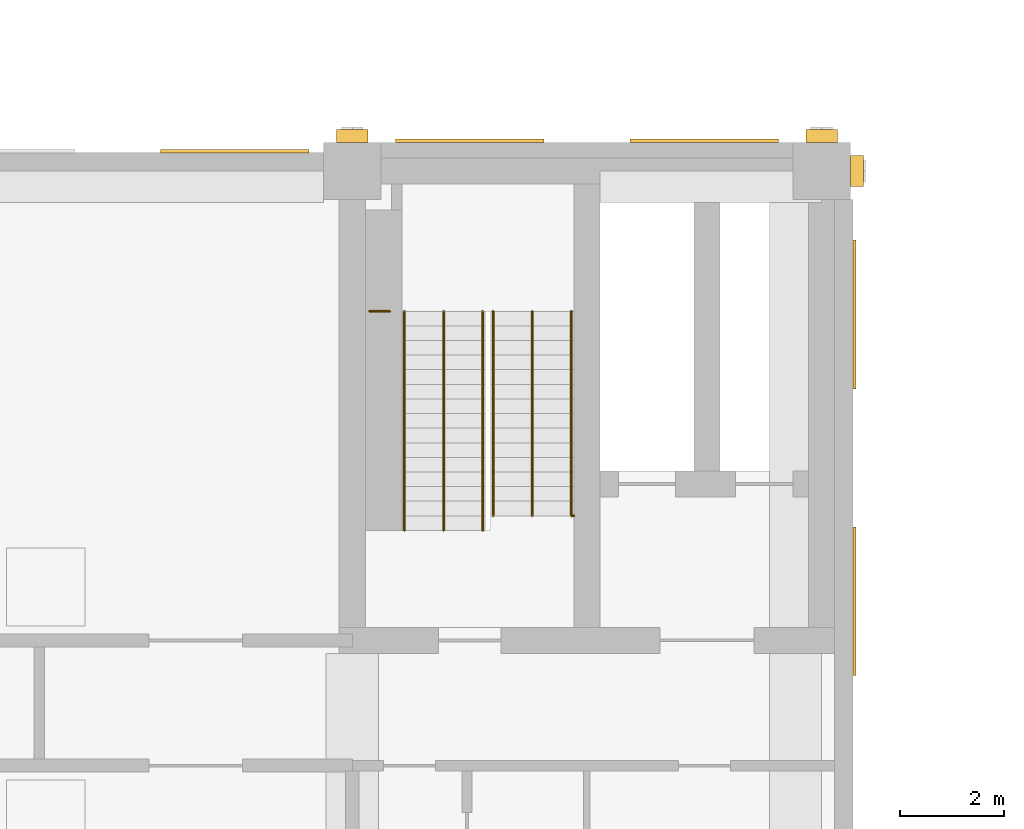
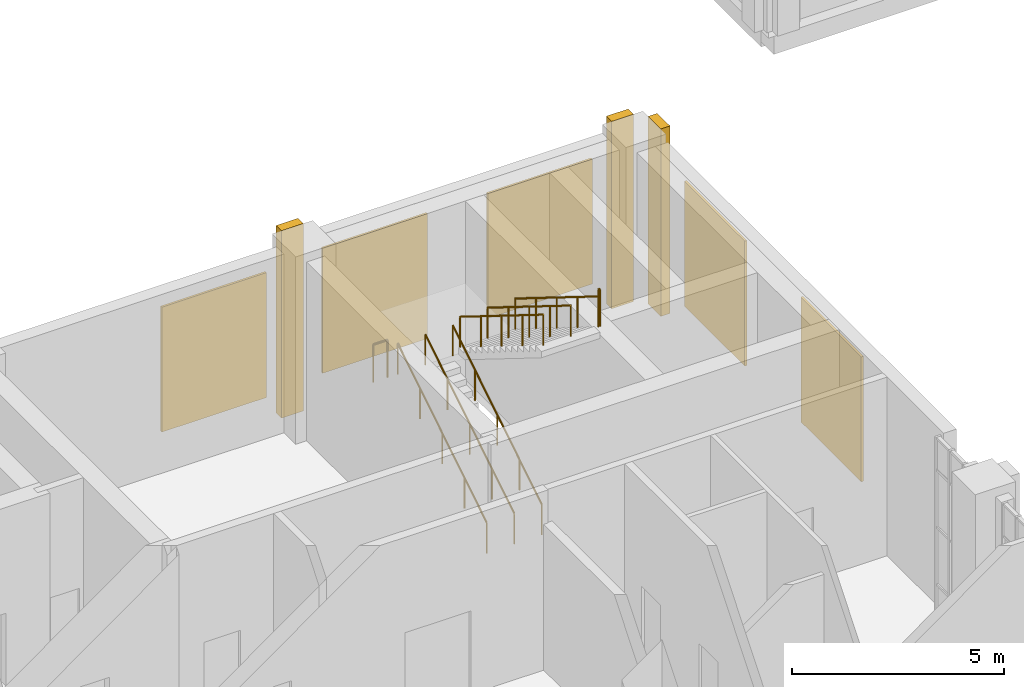
# One storey, part 21 of 25: 8 coverings, 8 railings.
"""IFC4 building model written with IfcOpenShell, lengths in metres."""

from ifc_helpers import new_model, si_unit, direction, frame, origin, origin_2d, place, context, subcontext, project, spatial, rectangle, circle, extrude, material, layer, layer_set, type_object, element, save


model = new_model("IFC4")

# Units and contexts
model_context = context("Model", 3, precision=1e-05, world=origin(), true_north=direction((0.0, 1.0)))
body_context = subcontext(model_context, "Body", "Model", "MODEL_VIEW")
ifc_project = project(units=[si_unit("LENGTHUNIT", "METRE"), si_unit("AREAUNIT", "SQUARE_METRE"), si_unit("VOLUMEUNIT", "CUBIC_METRE"), si_unit("PLANEANGLEUNIT", "RADIAN"), si_unit("MASSUNIT", "GRAM", prefix="KILO")], contexts=[model_context])

# Site, building, storey
site_placement = place(None, origin())
site = spatial("IfcSite", under=ifc_project, at=site_placement, CompositionType="ELEMENT")
building_placement = place(site_placement, origin())
building = spatial("IfcBuilding", under=site, at=building_placement, Name="Aurelan Courthouse", CompositionType="ELEMENT")
storey_placement = place(building_placement, frame((0.0, 0.0, 33.60009765625)))
storey = spatial("IfcBuildingStorey", under=building, at=storey_placement, Name="L06", CompositionType="ELEMENT", Elevation=33.60009765625)

# Coverings
ifc_material_1 = material(Name="Bronze sheet cladding")
ifc_layer = layer(ifc_material_1, 0.06005859375)
ifc_layer_set = layer_set([ifc_layer], Name="Bronze sheet cladding")
covering_type_1 = type_object("IfcCoveringType", Name="Courts' Floors blind bay 2850 x 3600", PredefinedType="CLADDING", material=ifc_layer_set)
for number, where, z_axis, x_axis, name in (
    (1, (15.75, 28.8798828125, 0.89990234375), (0.0, 0.0, 1.0), (1.0, 0.0, 0.0), "Blind bay BB-V5-L06-006"),
    (2, (20.25, 29.080078125, 0.89990234375), (0.0, 0.0, 1.0), (1.0, 0.0, 0.0), "Blind bay BB-V5-L06-007"),
    (3, (24.75, 29.080078125, 0.89990234375), (0.0, 0.0, 1.0), (1.0, 0.0, 0.0), "Blind bay BB-V5-L06-008"),
):
    element("IfcCovering", number, at=place(storey_placement, frame(where, z_axis=z_axis, x_axis=x_axis)), inside=storey, type_object=covering_type_1, Name=name, PredefinedType="CLADDING", context=body_context, shape_type="SweptSolid", body=[
        extrude(rectangle(XDim=2.85009765625, YDim=0.06005859375, at=origin_2d()), origin(), (0.0, 0.0, 1.0), 3.60009765625),
    ])
for number, where, z_axis, x_axis, name in (
    (4, (27.6298828125, 20.25, 0.89990234375), (0.0, 0.0, 1.0), (1.0, 0.0, 0.0), "Blind bay BB-V5-L06-009"),
    (5, (27.6298828125, 25.75, 0.89990234375), (0.0, 0.0, 1.0), (1.0, 0.0, 0.0), "Blind bay BB-V5-L06-010"),
):
    element("IfcCovering", number, at=place(storey_placement, frame(where, z_axis=z_axis, x_axis=x_axis)), inside=storey, type_object=covering_type_1, Name=name, PredefinedType="CLADDING", context=body_context, shape_type="SweptSolid", body=[
        extrude(rectangle(XDim=0.06005859375, YDim=2.85009765625, at=origin_2d()), origin(), (0.0, 0.0, 1.0), 3.60009765625),
    ])
ifc_material_2 = material(Name="Limestone cladding", Category="masonry")
covering_type_2 = type_object("IfcCoveringType", Name="Courts' Floors pilaster fin 600 x 250", PredefinedType="CLADDING", material=ifc_material_2)
for number, where, z_axis, x_axis, name in (
    (6, (18.0, 29.175048828125, 0.0), (0.0, 0.0, 1.0), (1.0, 0.0, 0.0), "Pilaster fin FN-V5-063"),
    (7, (27.0, 29.175048828125, 0.0), (0.0, 0.0, 1.0), (1.0, 0.0, 0.0), "Pilaster fin FN-V5-064"),
):
    element("IfcCovering", number, at=place(storey_placement, frame(where, z_axis=z_axis, x_axis=x_axis)), inside=storey, type_object=covering_type_2, Name=name, PredefinedType="CLADDING", context=body_context, shape_type="SweptSolid", body=[
        extrude(rectangle(XDim=0.60009765625, YDim=0.25, at=origin_2d()), origin(), (0.0, 0.0, 1.0), 5.39990234375),
    ])
covering_placement = place(storey_placement, frame((27.675048828125, 28.5, 0.0), z_axis=(0.0, 0.0, 1.0), x_axis=(1.0, 0.0, 0.0)))
element("IfcCovering", 8, at=covering_placement, inside=storey, type_object=covering_type_2, Name="Pilaster fin FN-V5-067", PredefinedType="CLADDING", context=body_context, shape_type="SweptSolid", body=[
    extrude(rectangle(XDim=0.25, YDim=0.60009765625, at=origin_2d()), origin(), (0.0, 0.0, 1.0), 5.39990234375),
])

# Railings
ifc_material_3 = material(Name="Steel S355", Category="steel")
railing_type_1 = type_object("IfcRailingType", Name="Stair guard 1100", PredefinedType="GUARDRAIL", material=ifc_material_3)
railing_1_placement = place(storey_placement, frame((22.199951171875, 21.889892578125, 5.39990234375)))
element("IfcRailing", 9, at=railing_1_placement, inside=storey, type_object=railing_type_1, Name="Guard ST-5A-L06-H5-C", PredefinedType="GUARDRAIL", context=body_context, shape_type="SweptSolid", body=[
    extrude(circle(Radius=0.02392578125, at=origin_2d()), frame((0.0, 0.0, 1.076171875), z_axis=(1.0, 0.0, 0.0), x_axis=(0.0, 1.0, 0.0)), (0.0, 0.0, 1.0), 0.050048828125),
    extrude(circle(Radius=0.02099609375, at=origin_2d()), origin(), (0.0, 0.0, 1.0), 1.052001953125),
    extrude(circle(Radius=0.02099609375, at=origin_2d()), frame((0.050048828125, 0.0, 0.0)), (0.0, 0.0, 1.0), 1.052001953125),
])
railing_2_placement = place(storey_placement, frame((18.719970703125, 25.81005859375, 2.787109375)))
element("IfcRailing", 10, at=railing_2_placement, inside=storey, type_object=railing_type_1, Name="Guard ST-5A-L06-GL1", PredefinedType="GUARDRAIL", context=body_context, shape_type="SweptSolid", body=[
    extrude(circle(Radius=0.02392578125, at=origin_2d()), frame((0.0, 0.0, 1.076171875), z_axis=(-1.0, 0.0, 0.0), x_axis=(0.0, -1.0, 0.0)), (0.0, 0.0, 1.0), 0.389892578125),
    extrude(circle(Radius=0.02099609375, at=origin_2d()), origin(), (0.0, 0.0, 1.0), 1.052001953125),
    extrude(circle(Radius=0.02099609375, at=origin_2d()), frame((-0.389892578125, 0.0, 0.0)), (0.0, 0.0, 1.0), 1.052001953125),
])
railing_type_2 = type_object("IfcRailingType", Name="Stair handrail 900", PredefinedType="HANDRAIL", material=ifc_material_3)
for number, where, name in (
    (11, (19.0, 21.610107421875, 0.174072265625), "Handrail ST-5A-L06-H1"),
    (12, (20.5, 21.610107421875, 0.174072265625), "Handrail ST-5A-L06-H2"),
    (13, (19.75, 21.610107421875, 0.174072265625), "Handrail ST-5A-L06-H3"),
):
    element("IfcRailing", number, at=place(storey_placement, frame(where)), inside=storey, type_object=railing_type_2, Name=name, PredefinedType="HANDRAIL", context=body_context, shape_type="SweptSolid", body=[
        extrude(circle(Radius=0.02392578125, at=origin_2d()), frame((0.0, 0.0, 0.8759765625), z_axis=(0.0, 0.849080710111, 0.528263142494), x_axis=(-1.0, 0.0, 0.0)), (0.0, 0.0, 1.0), 4.946533203125),
        extrude(circle(Radius=0.02099609375, at=origin_2d()), origin(), (0.0, 0.0, 1.0), 0.851806640625),
        extrude(circle(Radius=0.02099609375, at=origin_2d()), frame((0.0, 1.050048828125, 0.6533203125)), (0.0, 0.0, 1.0), 0.851806640625),
        extrude(circle(Radius=0.02099609375, at=origin_2d()), frame((0.0, 2.10009765625, 1.306640625)), (0.0, 0.0, 1.0), 0.851806640625),
        extrude(circle(Radius=0.02099609375, at=origin_2d()), frame((0.0, 3.14990234375, 1.959716796875)), (0.0, 0.0, 1.0), 0.851806640625),
        extrude(circle(Radius=0.02099609375, at=origin_2d()), frame((0.0, 4.199951171875, 2.613037109375)), (0.0, 0.0, 1.0), 0.851806640625),
    ])
for number, where, name in (
    (14, (20.699951171875, 25.81005859375, 2.961181640625), "Handrail ST-5A-L06-H4"),
    (15, (22.199951171875, 25.81005859375, 2.961181640625), "Handrail ST-5A-L06-H5"),
    (16, (21.449951171875, 25.81005859375, 2.961181640625), "Handrail ST-5A-L06-H6"),
):
    element("IfcRailing", number, at=place(storey_placement, frame(where)), inside=storey, type_object=railing_type_2, Name=name, PredefinedType="HANDRAIL", context=body_context, shape_type="SweptSolid", body=[
        extrude(circle(Radius=0.02392578125, at=origin_2d()), frame((0.0, 0.0, 0.8759765625), z_axis=(0.0, -0.849104567483, 0.528224794457), x_axis=(1.0, 0.0, 0.0)), (0.0, 0.0, 1.0), 4.616943359375),
        extrude(circle(Radius=0.02099609375, at=origin_2d()), origin(), (0.0, 0.0, 1.0), 0.851806640625),
        extrude(circle(Radius=0.02099609375, at=origin_2d()), frame((0.0, -0.97998046875, 0.609619140625)), (0.0, 0.0, 1.0), 0.851806640625),
        extrude(circle(Radius=0.02099609375, at=origin_2d()), frame((0.0, -1.9599609375, 1.21923828125)), (0.0, 0.0, 1.0), 0.851806640625),
        extrude(circle(Radius=0.02099609375, at=origin_2d()), frame((0.0, -2.940185546875, 1.8291015625)), (0.0, 0.0, 1.0), 0.851806640625),
        extrude(circle(Radius=0.02099609375, at=origin_2d()), frame((0.0, -3.920166015625, 2.438720703125)), (0.0, 0.0, 1.0), 0.851806640625),
    ])

save(model, "model.ifc")
